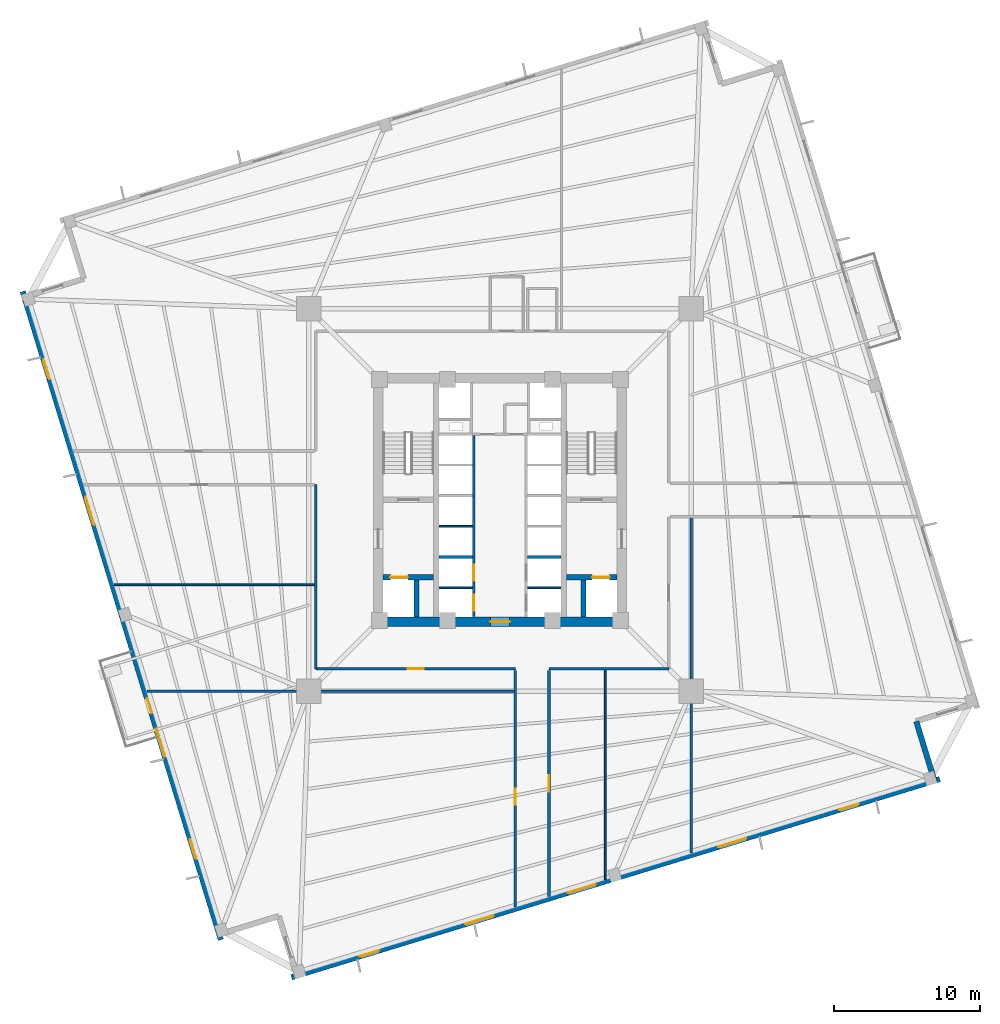
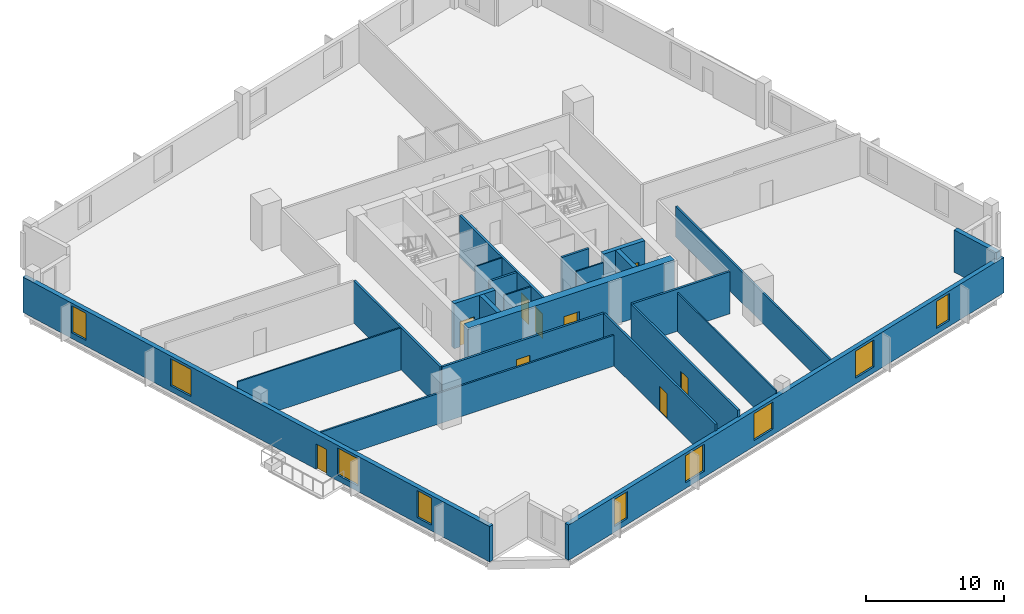
# One storey, part 3 of 9: 23 walls, 9 doors, 9 windows, 18 openings.
"""IFC4 building model written with IfcOpenShell, lengths in metres."""

import ifcopenshell
import ifcopenshell.guid

model = None  # the IFC model being written
_history = None  # IfcOwnerHistory: only IFC2X3 demands one
_inside = {}  # id of a spatial element -> (the spatial element, [elements in it])
_under = {}  # id of a project, library or spatial element -> (it, [spatial elements below it])
_declared = {}  # id of a project -> (the project, [libraries it declares])
_typed = {}  # id of a type object -> (the type object, [elements of that type])
_made_of = {}  # id of a material, layer set ... -> (it, [elements and type objects made of it])


def new_model(schema):
    """Start an empty IFC model of exactly this schema.

    Asked for "IFC4X3", IfcOpenShell would pick the latest addendum, in which some entities
    have other attributes; the version numbers below select the first issue.
    IFC2X3 requires an IfcOwnerHistory on every rooted entity: one is made here for all.
    """
    global model, _history
    if schema == "IFC4X3":
        model = ifcopenshell.file(schema_version=(4, 3, 0, 0))
    else:
        model = ifcopenshell.file(schema=schema)
    _inside.clear()
    _under.clear()
    _declared.clear()
    _typed.clear()
    _made_of.clear()
    _history = None
    if model.schema == "IFC2X3":
        org = make("IfcOrganization", Name="unknown")
        user = make(
            "IfcPersonAndOrganization",
            ThePerson=make("IfcPerson", FamilyName="unknown"),
            TheOrganization=org,
        )
        app = make(
            "IfcApplication",
            ApplicationDeveloper=org,
            Version="unknown",
            ApplicationFullName="unknown",
            ApplicationIdentifier="unknown",
        )
        _history = make(
            "IfcOwnerHistory",
            OwningUser=user,
            OwningApplication=app,
            ChangeAction="ADDED",
            CreationDate=0,
        )
    return model


def make(cls, **values):
    """One entity of the class cls with the attributes given. An attribute that is None is left unset."""
    return model.create_entity(
        cls, **{name: value for name, value in values.items() if value is not None}
    )


def rooted(cls, **values):
    """An entity with a GlobalId (a new one), such as an element, a storey or a relation."""
    return make(cls, GlobalId=ifcopenshell.guid.new(), OwnerHistory=_history, **values)


def si_unit(unit_type, name, prefix=None):
    """IfcSIUnit, for example si_unit("LENGTHUNIT", "METRE", prefix="MILLI")."""
    return make("IfcSIUnit", UnitType=unit_type, Prefix=prefix, Name=name)


def assignment(units):
    """IfcUnitAssignment: the units of a project."""
    return None if units is None else make("IfcUnitAssignment", Units=units)


def point(xyz):
    """IfcCartesianPoint."""
    return None if xyz is None else make("IfcCartesianPoint", Coordinates=xyz)


def direction(xyz):
    """IfcDirection."""
    return None if xyz is None else make("IfcDirection", DirectionRatios=xyz)


def frame(location, z_axis=None, x_axis=None):
    """IfcAxis2Placement3D, a coordinate frame: its origin and axes. An axis left out is left unset."""
    return make(
        "IfcAxis2Placement3D",
        Location=point(location),
        Axis=direction(z_axis),
        RefDirection=direction(x_axis),
    )


def frame_2d(location, x_axis=None):
    """IfcAxis2Placement2D, a coordinate frame in the plane: its origin and x axis."""
    return make(
        "IfcAxis2Placement2D", Location=point(location), RefDirection=direction(x_axis)
    )


def origin():
    """The frame at (0, 0, 0) with its axes left unset."""
    return frame((0.0, 0.0, 0.0))


def place(relative_to, where):
    """IfcLocalPlacement: puts the frame where relative to a parent placement (None: the world)."""
    return make(
        "IfcLocalPlacement", PlacementRelTo=relative_to, RelativePlacement=where
    )


def context(
    kind, dimensions, precision=None, world=None, true_north=None, identifier=None
):
    """IfcGeometricRepresentationContext, for example the 3D "Model" context."""
    return make(
        "IfcGeometricRepresentationContext",
        ContextIdentifier=identifier,
        ContextType=kind,
        CoordinateSpaceDimension=dimensions,
        Precision=precision,
        WorldCoordinateSystem=world,
        TrueNorth=true_north,
    )


def subcontext(parent, identifier, kind, view, scale=None):
    """IfcGeometricRepresentationSubContext, for example "Body" below "Model"."""
    return make(
        "IfcGeometricRepresentationSubContext",
        ContextIdentifier=identifier,
        ContextType=kind,
        ParentContext=parent,
        TargetScale=scale,
        TargetView=view,
    )


def project(units=None, contexts=None):
    """IfcProject with its units and contexts."""
    return rooted(
        "IfcProject",
        Name="project",
        RepresentationContexts=contexts,
        UnitsInContext=assignment(units),
    )


def spatial(cls, under=None, at=None, **own):
    """A site, building, storey or space (cls), placed at a placement, below another one or the project."""
    s = rooted(cls, ObjectPlacement=at, **own)
    if under is not None:
        _under.setdefault(under.id(), (under, []))[1].append(s)
    return s


def profile(cls, at=None, kind="AREA", **sizes):
    """A parametric profile (cls). Its sizes go by their IFC names, for example OverallWidth=200.0."""
    return make(cls, ProfileType=kind, Position=at, **sizes)


def rectangle(**sizes):
    """IfcRectangleProfileDef."""
    return profile("IfcRectangleProfileDef", **sizes)


def extrude(swept, where, along, depth):
    """IfcExtrudedAreaSolid: the profile swept, set in the frame where, extruded along a direction by depth."""
    return make(
        "IfcExtrudedAreaSolid",
        SweptArea=swept,
        Position=where,
        ExtrudedDirection=direction(along),
        Depth=depth,
    )


def shape(context_of_items, identifier, shape_type, items):
    """IfcShapeRepresentation: the items that make up one representation, for example the "Body"."""
    return make(
        "IfcShapeRepresentation",
        ContextOfItems=context_of_items,
        RepresentationIdentifier=identifier,
        RepresentationType=shape_type,
        Items=items,
    )


def source(mapping_origin, context_of_items, identifier, shape_type, items):
    """IfcRepresentationMap: a shape defined once, which mapped items show again and again."""
    return make(
        "IfcRepresentationMap",
        MappingOrigin=mapping_origin,
        MappedRepresentation=shape(context_of_items, identifier, shape_type, items),
    )


def transform(
    local_origin,
    x_axis=None,
    y_axis=None,
    z_axis=None,
    scale=None,
    scale2=None,
    scale3=None,
    uniform=True,
):
    """IfcCartesianTransformationOperator3D, or its non-uniform kind. x_axis, y_axis, z_axis: its Axis1, 2, 3."""
    if uniform:
        return make(
            "IfcCartesianTransformationOperator3D",
            Axis1=direction(x_axis),
            Axis2=direction(y_axis),
            LocalOrigin=point(local_origin),
            Scale=scale,
            Axis3=direction(z_axis),
        )
    return make(
        "IfcCartesianTransformationOperator3DnonUniform",
        Axis1=direction(x_axis),
        Axis2=direction(y_axis),
        LocalOrigin=point(local_origin),
        Scale=scale,
        Axis3=direction(z_axis),
        Scale2=scale2,
        Scale3=scale3,
    )


def mapped(mapping_source, mapping_target):
    """IfcMappedItem: shows the shape of a source again, moved by a transform."""
    return make(
        "IfcMappedItem", MappingSource=mapping_source, MappingTarget=mapping_target
    )


def material(Name=None, Category=None):
    """IfcMaterial."""
    return make("IfcMaterial", Name=Name, Category=Category)


def layer(
    of_material, thickness, ventilated=None, Name=None, Category=None, Priority=None
):
    """IfcMaterialLayer: one layer of a wall or slab, of a material (None: an air gap)."""
    return make(
        "IfcMaterialLayer",
        Material=of_material,
        LayerThickness=thickness,
        IsVentilated=ventilated,
        Name=Name,
        Category=Category,
        Priority=Priority,
    )


def layer_set(layers, Name=None):
    """IfcMaterialLayerSet."""
    return make("IfcMaterialLayerSet", MaterialLayers=layers, LayerSetName=Name)


def made_of(thing, what):
    """Note that an element or type object is made of a material, layer set ...; save() writes the relation."""
    if what is not None:
        _made_of.setdefault(what.id(), (what, []))[1].append(thing)
    return thing


def type_object(cls, material=None, **own):
    """A type object (cls), such as IfcWallType, which elements share."""
    return made_of(rooted(cls, **own), material)


def element(
    cls,
    number,
    at=None,
    inside=None,
    cuts=None,
    type_object=None,
    material=None,
    context=None,
    identifier="Body",
    shape_type=None,
    held_by="IfcProductDefinitionShape",
    body=None,
    shapes=None,
    **own,
):
    """One element of the class cls, such as IfcWall. Its Tag is "e" and its number.

    at: its placement. inside: the storey or other place that contains it. cuts: it is an
    opening in that element (IfcRelVoidsElement). A single representation is given by context,
    identifier, shape_type and body (its items); several are given by shapes. held_by: the class
    of the entity that holds the representations. save() writes the other relations.
    """
    e = rooted(cls, Tag="e%d" % number, ObjectPlacement=at, **own)
    if body is not None:
        shapes = [shape(context, identifier, shape_type, body)]
    if shapes is not None:
        e.Representation = make(held_by, Representations=shapes)
    if inside is not None:
        _inside.setdefault(inside.id(), (inside, []))[1].append(e)
    if cuts is not None:
        rooted(
            "IfcRelVoidsElement", RelatingBuildingElement=cuts, RelatedOpeningElement=e
        )
    if type_object is not None:
        _typed.setdefault(type_object.id(), (type_object, []))[1].append(e)
    return made_of(e, material)


def fill(opening, filler):
    """IfcRelFillsElement: the door or window that sits in an opening."""
    return rooted(
        "IfcRelFillsElement",
        RelatingOpeningElement=opening,
        RelatedBuildingElement=filler,
    )


def aggregate(whole, parts):
    """IfcRelAggregates: a whole, such as a stair, and the parts it consists of."""
    return rooted("IfcRelAggregates", RelatingObject=whole, RelatedObjects=parts)


def save(model, path):
    """Write the relations noted so far, then the file.

    IfcRelAggregates (storeys below a building ...), IfcRelContainedInSpatialStructure (elements
    in a storey), IfcRelDefinesByType, IfcRelAssociatesMaterial and IfcRelDeclares: one each for
    every whole, place, type object, material and project.
    """
    for whole, parts in _under.values():
        aggregate(whole, parts)
    for where, things in _inside.values():
        rooted(
            "IfcRelContainedInSpatialStructure",
            RelatedElements=things,
            RelatingStructure=where,
        )
    for kind, things in _typed.values():
        rooted("IfcRelDefinesByType", RelatedObjects=things, RelatingType=kind)
    for what, things in _made_of.values():
        rooted("IfcRelAssociatesMaterial", RelatedObjects=things, RelatingMaterial=what)
    for by, libraries in _declared.values():
        rooted("IfcRelDeclares", RelatingContext=by, RelatedDefinitions=libraries)
    model.write(path)


model = new_model("IFC4")

# Units and contexts
model_context = context("Model", 3, precision=1e-05, world=origin(), true_north=direction((0.0, 1.0)))
body_context = subcontext(model_context, "Body", "Model", "MODEL_VIEW")
ifc_project = project(units=[si_unit("LENGTHUNIT", "METRE"), si_unit("AREAUNIT", "SQUARE_METRE"), si_unit("VOLUMEUNIT", "CUBIC_METRE"), si_unit("PLANEANGLEUNIT", "RADIAN"), si_unit("MASSUNIT", "GRAM", prefix="KILO"), si_unit("THERMODYNAMICTEMPERATUREUNIT", "KELVIN")], contexts=[model_context])

# Site, building, storey
site_placement = place(None, origin())
site = spatial("IfcSite", under=ifc_project, at=site_placement, CompositionType="ELEMENT")
building_placement = place(site_placement, origin())
building = spatial("IfcBuilding", under=site, at=building_placement, Name="Kosmvard Interchange Tower", CompositionType="ELEMENT")
storey_placement = place(building_placement, frame((0.0, 0.0, 131.199951171875)))
storey = spatial("IfcBuildingStorey", under=building, at=storey_placement, Name="L31", CompositionType="ELEMENT", Elevation=131.199951171875)

# Walls
ifc_material_1 = material(Name="Acoustic gypsum partition system")
ifc_layer_1 = layer(ifc_material_1, 0.14990234375, Name="Acoustic gypsum partition system")
ifc_layer_set_1 = layer_set([ifc_layer_1], Name="Acoustic gypsum partition system")
wall_type_1 = type_object("IfcWallType", Name="Acoustic Suite & Meeting Partition 150", PredefinedType="PARTITIONING", material=ifc_layer_set_1)
wall_1_placement = place(storey_placement, frame((13.0810546875, -24.16650390625, 0.0), z_axis=(0.0, 0.0, 1.0), x_axis=(0.0, 1.0, 0.0)))
element("IfcWall", 1, at=wall_1_placement, inside=storey, type_object=wall_type_1, Name="L31 Room Partition 03.1", PredefinedType="PARTITIONING", context=body_context, shape_type="SweptSolid", body=[
    extrude(rectangle(XDim=22.92138671875, YDim=0.14990234375, at=frame_2d((11.460693359375, 0.0))), origin(), (0.0, 0.0, 1.0), 2.73193359375),
])
wall_2_placement = place(storey_placement, frame((-24.16650390625, -13.0810546875, 0.0), z_axis=(0.0, 0.0, 1.0), x_axis=(1.0, 0.0, 0.0)))
element("IfcWall", 2, at=wall_2_placement, inside=storey, type_object=wall_type_1, Name="L31 Room Partition 04.1", PredefinedType="PARTITIONING", context=body_context, shape_type="SweptSolid", body=[
    extrude(rectangle(XDim=25.12158203125, YDim=0.14990234375, at=frame_2d((12.560791015625, 0.0))), origin(), (0.0, 0.0, 1.0), 2.73193359375),
])

# Wall, openings, doors
ifc_material_2 = material(Name="Fire-rated gypsum partition system")
ifc_layer_2 = layer(ifc_material_2, 0.179931640625, Name="Fire-rated gypsum partition system")
ifc_layer_set_2 = layer_set([ifc_layer_2], Name="Fire-rated gypsum partition system")
wall_type_2 = type_object("IfcWallType", Name="Corridor & Hotel Compartment Partition 180", PredefinedType="PARTITIONING", material=ifc_layer_set_2)
wall_3_placement = place(storey_placement, frame((-1.7900390625, -7.97998046875, 0.0), z_axis=(0.0, 0.0, 1.0), x_axis=(0.0, 1.0, 0.0)))
wall_3 = element("IfcWall", 3, at=wall_3_placement, inside=storey, type_object=wall_type_2, Name="L31 West Lift Bank Front Wall", PredefinedType="PARTITIONING", context=body_context, shape_type="SweptSolid", body=[
    extrude(rectangle(XDim=12.3798828125, YDim=0.179931640625, at=frame_2d((6.18994140625, 0.0))), origin(), (0.0, 0.0, 1.0), 3.739990234375),
])
opening_1_placement = place(wall_3_placement, frame((0.39990234375, 0.0, 0.0)))
opening_1 = element("IfcOpeningElement", 4, at=opening_1_placement, cuts=wall_3, Name="Opening LD-PL-L1-L31", PredefinedType="OPENING", context=body_context, shape_type="SweptSolid", body=[
    extrude(rectangle(XDim=1.10009765625, YDim=2.199951171875, at=frame_2d((0.550048828125, 1.10009765625))), frame((0.0, 0.10009765625, 0.0), z_axis=(0.0, -1.0, 0.0), x_axis=(1.0, 0.0, 0.0)), (0.0, 0.0, 1.0), 0.199951171875),
])
opening_2_placement = place(wall_3_placement, frame((2.4599609375, 0.0, 0.0)))
opening_2 = element("IfcOpeningElement", 5, at=opening_2_placement, cuts=wall_3, Name="Opening LD-PL-L2-L31", PredefinedType="OPENING", context=body_context, shape_type="SweptSolid", body=[
    extrude(rectangle(XDim=1.10009765625, YDim=2.199951171875, at=frame_2d((0.550048828125, 1.10009765625))), frame((0.0, 0.10009765625, 0.0), z_axis=(0.0, -1.0, 0.0), x_axis=(1.0, 0.0, 0.0)), (0.0, 0.0, 1.0), 0.199951171875),
])
ifc_material_3 = material(Name="Brushed stainless steel sliding leaf", Category="steel")
door_type_1 = type_object("IfcDoorType", Name="Passenger Lift Sliding Landing Door 1100x2200 EI60", OperationType="DOUBLE_DOOR_SLIDING", PredefinedType="DOOR", material=ifc_material_3)
shared_shape_1 = source(origin(), body_context, "Body", "SweptSolid", [
    extrude(rectangle(XDim=1.10009765625, YDim=2.199951171875, at=frame_2d((0.550048828125, 1.10009765625))), frame((0.0, 0.02490234375, 0.0), z_axis=(0.0, -1.0, 0.0), x_axis=(1.0, 0.0, 0.0)), (0.0, 0.0, 1.0), 0.050048828125),
])
door_1_placement = place(opening_1_placement, frame((1.10009765625, 0.0, 0.0), z_axis=(0.0, 0.0, 1.0), x_axis=(-1.0, 0.0, 0.0)))
door_1 = element("IfcDoor", 6, at=door_1_placement, inside=storey, type_object=door_type_1, Name="Lift PL-L1 Landing Door L31", OperationType="DOUBLE_DOOR_SLIDING", OverallHeight=2.199951171875, OverallWidth=1.10009765625, PredefinedType="DOOR", context=body_context, shape_type="MappedRepresentation", body=[
    mapped(shared_shape_1, transform((0.0, 0.0, 0.0), scale=1.0)),
])
fill(opening_1, door_1)
door_2_placement = place(opening_2_placement, frame((1.10009765625, 0.0, 0.0), z_axis=(0.0, 0.0, 1.0), x_axis=(-1.0, 0.0, 0.0)))
door_2 = element("IfcDoor", 7, at=door_2_placement, inside=storey, type_object=door_type_1, Name="Lift PL-L2 Landing Door L31", OperationType="DOUBLE_DOOR_SLIDING", OverallHeight=2.199951171875, OverallWidth=1.10009765625, PredefinedType="DOOR", context=body_context, shape_type="MappedRepresentation", body=[
    mapped(shared_shape_1, transform((0.0, 0.0, 0.0), scale=1.0)),
])
fill(opening_2, door_2)

# Wall, opening, door
wall_4_placement = place(storey_placement, frame((-12.60009765625, -11.550048828125, 0.0), z_axis=(0.0, 0.0, 1.0), x_axis=(1.0, 0.0, 0.0)))
wall_4 = element("IfcWall", 8, at=wall_4_placement, inside=storey, type_object=wall_type_2, Name="L31 Corridor Wall CSW", PredefinedType="PARTITIONING", context=body_context, shape_type="SweptSolid", body=[
    extrude(rectangle(XDim=13.650146484375, YDim=0.179931640625, at=frame_2d((6.8251953125, 0.0))), origin(), (0.0, 0.0, 1.0), 3.739990234375),
])
opening_3_placement = place(wall_4_placement, frame((6.27490234375, 0.0, 0.0)))
opening_3 = element("IfcOpeningElement", 9, at=opening_3_placement, cuts=wall_4, Name="Opening L31-D09", PredefinedType="OPENING", context=body_context, shape_type="SweptSolid", body=[
    extrude(rectangle(XDim=1.10009765625, YDim=2.199951171875, at=frame_2d((0.550048828125, 1.10009765625))), frame((0.0, 0.10009765625, 0.0), z_axis=(0.0, -1.0, 0.0), x_axis=(1.0, 0.0, 0.0)), (0.0, 0.0, 1.0), 0.199951171875),
])
ifc_material_4 = material(Name="Engineered oak fire-rated timber", Category="wood")
door_type_2 = type_object("IfcDoorType", Name="Office Suite Entrance Door 1100x2200 FD30S", OperationType="NOTDEFINED", PredefinedType="DOOR", material=ifc_material_4)
door_3_placement = place(opening_3_placement, frame((1.10009765625, 0.0, 0.0), z_axis=(0.0, 0.0, 1.0), x_axis=(-1.0, 0.0, 0.0)))
door_3 = element("IfcDoor", 10, at=door_3_placement, inside=storey, type_object=door_type_2, Name="L31 Executive Reading Lounge Door", OperationType="SINGLE_SWING_LEFT", OverallHeight=2.199951171875, OverallWidth=1.10009765625, PredefinedType="DOOR", context=body_context, shape_type="MappedRepresentation", body=[
    mapped(shared_shape_1, transform((0.0, 0.0, 0.0), scale=1.0)),
])
fill(opening_3, door_3)

# Walls
wall_5_placement = place(storey_placement, frame((3.35009765625, -11.550048828125, 0.0), z_axis=(0.0, 0.0, 1.0), x_axis=(1.0, 0.0, 0.0)))
element("IfcWall", 11, at=wall_5_placement, inside=storey, type_object=wall_type_2, Name="L31 Corridor Wall CSE", PredefinedType="PARTITIONING", context=body_context, shape_type="SweptSolid", body=[
    extrude(rectangle(XDim=8.199951171875, YDim=0.179931640625, at=frame_2d((4.10009765625, 0.0))), origin(), (0.0, 0.0, 1.0), 3.739990234375),
])
wall_6_placement = place(storey_placement, frame((-12.60009765625, -11.550048828125, 0.0), z_axis=(0.0, 0.0, 1.0), x_axis=(0.0, 1.0, 0.0)))
element("IfcWall", 12, at=wall_6_placement, inside=storey, type_object=wall_type_2, Name="L31 Corridor Wall CWS", PredefinedType="PARTITIONING", context=body_context, shape_type="SweptSolid", body=[
    extrude(rectangle(XDim=12.60009765625, YDim=0.179931640625, at=frame_2d((6.300048828125, 0.0))), origin(), (0.0, 0.0, 1.0), 3.739990234375),
])

# Wall, opening, door
wall_7_placement = place(storey_placement, frame((1.050048828125, -27.8447265625, 0.0), z_axis=(0.0, 0.0, 1.0), x_axis=(0.0, 1.0, 0.0)))
wall_7 = element("IfcWall", 13, at=wall_7_placement, inside=storey, type_object=wall_type_2, Name="L31 Corridor Wall SSW", PredefinedType="PARTITIONING", context=body_context, shape_type="SweptSolid", body=[
    extrude(rectangle(XDim=16.19482421875, YDim=0.179931640625, at=frame_2d((8.097412109375, 0.0))), origin(), (0.0, 0.0, 1.0), 3.739990234375),
])
opening_4_placement = place(wall_7_placement, frame((6.996337890625, 0.0, 0.0)))
opening_4 = element("IfcOpeningElement", 14, at=opening_4_placement, cuts=wall_7, Name="Opening L31-D10", PredefinedType="OPENING", context=body_context, shape_type="SweptSolid", body=[
    extrude(rectangle(XDim=1.10009765625, YDim=2.199951171875, at=frame_2d((0.550048828125, 1.10009765625))), frame((0.0, 0.10009765625, 0.0), z_axis=(0.0, -1.0, 0.0), x_axis=(1.0, 0.0, 0.0)), (0.0, 0.0, 1.0), 0.199951171875),
])
door_4_placement = place(opening_4_placement, origin())
door_4 = element("IfcDoor", 15, at=door_4_placement, inside=storey, type_object=door_type_2, Name="L31 South-West Quiet Study Door", OperationType="SINGLE_SWING_RIGHT", OverallHeight=2.199951171875, OverallWidth=1.10009765625, PredefinedType="DOOR", context=body_context, shape_type="MappedRepresentation", body=[
    mapped(shared_shape_1, transform((0.0, 0.0, 0.0), scale=1.0)),
])
fill(opening_4, door_4)

wall_8_placement = place(storey_placement, frame((3.35009765625, -27.1416015625, 0.0), z_axis=(0.0, 0.0, 1.0), x_axis=(0.0, 1.0, 0.0)))
wall_8 = element("IfcWall", 16, at=wall_8_placement, inside=storey, type_object=wall_type_2, Name="L31 Corridor Wall SSE", PredefinedType="PARTITIONING", context=body_context, shape_type="SweptSolid", body=[
    extrude(rectangle(XDim=15.49169921875, YDim=0.179931640625, at=frame_2d((7.745849609375, 0.0))), origin(), (0.0, 0.0, 1.0), 3.739990234375),
])
opening_5_placement = place(wall_8_placement, frame((7.19580078125, 0.0, 0.0)))
opening_5 = element("IfcOpeningElement", 17, at=opening_5_placement, cuts=wall_8, Name="Opening L31-D05", PredefinedType="OPENING", context=body_context, shape_type="SweptSolid", body=[
    extrude(rectangle(XDim=1.10009765625, YDim=2.199951171875, at=frame_2d((0.550048828125, 1.10009765625))), frame((0.0, 0.10009765625, 0.0), z_axis=(0.0, -1.0, 0.0), x_axis=(1.0, 0.0, 0.0)), (0.0, 0.0, 1.0), 0.199951171875),
])
door_5_placement = place(opening_5_placement, frame((1.10009765625, 0.0, 0.0), z_axis=(0.0, 0.0, 1.0), x_axis=(-1.0, 0.0, 0.0)))
door_5 = element("IfcDoor", 18, at=door_5_placement, inside=storey, type_object=door_type_2, Name="L31 Business Travel Kiosk Door", OperationType="SINGLE_SWING_LEFT", OverallHeight=2.199951171875, OverallWidth=1.10009765625, PredefinedType="DOOR", context=body_context, shape_type="MappedRepresentation", body=[
    mapped(shared_shape_1, transform((0.0, 0.0, 0.0), scale=1.0)),
])
fill(opening_5, door_5)

# Wall, openings, windows
ifc_material_5 = material(Name="Precast concrete C45/55", Category="concrete")
ifc_layer_3 = layer(ifc_material_5, 0.3798828125, Name="Precast concrete C45/55")
ifc_layer_set_3 = layer_set([ifc_layer_3], Name="Precast concrete C45/55")
wall_type_3 = type_object("IfcWallType", Name="Lower Tower Precast Pier Wall 380 C45/55", PredefinedType="STANDARD", material=ifc_layer_set_3)
wall_9_placement = place(storey_placement, frame((-14.26513671875, -32.65771484375, 0.0), z_axis=(0.0, 0.0, 1.0), x_axis=(0.956304320851, 0.292373127906, 0.0)))
wall_9 = element("IfcWall", 19, at=wall_9_placement, inside=storey, type_object=wall_type_3, Name="L31 Precast Facade Wall F-S", PredefinedType="STANDARD", context=body_context, shape_type="SweptSolid", body=[
    extrude(rectangle(XDim=46.380126953125, YDim=0.3798828125, at=frame_2d((23.18994140625, 0.0))), origin(), (0.0, 0.0, 1.0), 3.14013671875),
])
opening_6_placement = place(wall_9_placement, frame((4.865478515625, 0.0, 0.510009765625)))
opening_6 = element("IfcOpeningElement", 20, at=opening_6_placement, cuts=wall_9, Name="Opening L31-W01", PredefinedType="OPENING", context=body_context, shape_type="SweptSolid", body=[
    extrude(rectangle(XDim=1.39990234375, YDim=2.39990234375, at=frame_2d((0.699951171875, 1.199951171875))), frame((0.0, 0.199951171875, 0.0), z_axis=(0.0, -1.0, 0.0), x_axis=(1.0, 0.0, 0.0)), (0.0, 0.0, 1.0), 0.39990234375),
])
opening_7_placement = place(wall_9_placement, frame((12.4501953125, 0.0, 0.510009765625)))
opening_7 = element("IfcOpeningElement", 21, at=opening_7_placement, cuts=wall_9, Name="Opening L31-W02", PredefinedType="OPENING", context=body_context, shape_type="SweptSolid", body=[
    extrude(rectangle(XDim=2.0, YDim=2.39990234375, at=frame_2d((1.0, 1.199951171875))), frame((0.0, 0.199951171875, 0.0), z_axis=(0.0, -1.0, 0.0), x_axis=(1.0, 0.0, 0.0)), (0.0, 0.0, 1.0), 0.39990234375),
])
opening_8_placement = place(wall_9_placement, frame((19.762451171875, 0.0, 0.510009765625)))
opening_8 = element("IfcOpeningElement", 22, at=opening_8_placement, cuts=wall_9, Name="Opening L31-W03", PredefinedType="OPENING", context=body_context, shape_type="SweptSolid", body=[
    extrude(rectangle(XDim=2.0, YDim=2.39990234375, at=frame_2d((1.0, 1.199951171875))), frame((0.0, 0.199951171875, 0.0), z_axis=(0.0, -1.0, 0.0), x_axis=(1.0, 0.0, 0.0)), (0.0, 0.0, 1.0), 0.39990234375),
])
opening_9_placement = place(wall_9_placement, frame((30.538330078125, 0.0, 0.510009765625)))
opening_9 = element("IfcOpeningElement", 23, at=opening_9_placement, cuts=wall_9, Name="Opening L31-W04", PredefinedType="OPENING", context=body_context, shape_type="SweptSolid", body=[
    extrude(rectangle(XDim=2.0, YDim=2.39990234375, at=frame_2d((1.0, 1.199951171875))), frame((0.0, 0.199951171875, 0.0), z_axis=(0.0, -1.0, 0.0), x_axis=(1.0, 0.0, 0.0)), (0.0, 0.0, 1.0), 0.39990234375),
])
opening_10_placement = place(wall_9_placement, frame((39.186767578125, 0.0, 0.510009765625)))
opening_10 = element("IfcOpeningElement", 24, at=opening_10_placement, cuts=wall_9, Name="Opening L31-W05", PredefinedType="OPENING", context=body_context, shape_type="SweptSolid", body=[
    extrude(rectangle(XDim=1.39990234375, YDim=2.39990234375, at=frame_2d((0.699951171875, 1.199951171875))), frame((0.0, 0.199951171875, 0.0), z_axis=(0.0, -1.0, 0.0), x_axis=(1.0, 0.0, 0.0)), (0.0, 0.0, 1.0), 0.39990234375),
])
ifc_material_6 = material(Name="Low-E solar-control double glazing", Category="glass")
window_type_1 = type_object("IfcWindowType", Name="Notched Corner Feature Window 1400x2400", PartitioningType="SINGLE_PANEL", PredefinedType="WINDOW", material=ifc_material_6)
shared_shape_2 = source(origin(), body_context, "Body", "SweptSolid", [
    extrude(rectangle(XDim=1.39990234375, YDim=2.39990234375, at=frame_2d((0.699951171875, 1.199951171875))), frame((0.0, 0.030029296875, 0.0), z_axis=(0.0, -1.0, 0.0), x_axis=(1.0, 0.0, 0.0)), (0.0, 0.0, 1.0), 0.06005859375),
])
window_1_placement = place(opening_6_placement, origin())
window_1 = element("IfcWindow", 25, at=window_1_placement, inside=storey, type_object=window_type_1, Name="L31 Facade Punched Window 01", OverallHeight=2.39990234375, OverallWidth=1.39990234375, PartitioningType="SINGLE_PANEL", PredefinedType="WINDOW", context=body_context, shape_type="MappedRepresentation", body=[
    mapped(shared_shape_2, transform((0.0, 0.0, 0.0), scale=1.0)),
])
fill(opening_6, window_1)
window_2_placement = place(opening_10_placement, origin())
window_2 = element("IfcWindow", 26, at=window_2_placement, inside=storey, type_object=window_type_1, Name="L31 Facade Punched Window 05", OverallHeight=2.39990234375, OverallWidth=1.39990234375, PartitioningType="SINGLE_PANEL", PredefinedType="WINDOW", context=body_context, shape_type="MappedRepresentation", body=[
    mapped(shared_shape_2, transform((0.0, 0.0, 0.0), scale=1.0)),
])
fill(opening_10, window_2)
window_type_2 = type_object("IfcWindowType", Name="Zone 2 Office Punched Window 2000x2400", PartitioningType="SINGLE_PANEL", PredefinedType="WINDOW", material=ifc_material_6)
shared_shape_3 = source(origin(), body_context, "Body", "SweptSolid", [
    extrude(rectangle(XDim=2.0, YDim=2.39990234375, at=frame_2d((1.0, 1.199951171875))), frame((0.0, 0.030029296875, 0.0), z_axis=(0.0, -1.0, 0.0), x_axis=(1.0, 0.0, 0.0)), (0.0, 0.0, 1.0), 0.06005859375),
])
window_3_placement = place(opening_7_placement, origin())
window_3 = element("IfcWindow", 27, at=window_3_placement, inside=storey, type_object=window_type_2, Name="L31 Facade Punched Window 02", OverallHeight=2.39990234375, OverallWidth=2.0, PartitioningType="SINGLE_PANEL", PredefinedType="WINDOW", context=body_context, shape_type="MappedRepresentation", body=[
    mapped(shared_shape_3, transform((0.0, 0.0, 0.0), scale=1.0)),
])
fill(opening_7, window_3)
window_4_placement = place(opening_8_placement, origin())
window_4 = element("IfcWindow", 28, at=window_4_placement, inside=storey, type_object=window_type_2, Name="L31 Facade Punched Window 03", OverallHeight=2.39990234375, OverallWidth=2.0, PartitioningType="SINGLE_PANEL", PredefinedType="WINDOW", context=body_context, shape_type="MappedRepresentation", body=[
    mapped(shared_shape_3, transform((0.0, 0.0, 0.0), scale=1.0)),
])
fill(opening_8, window_4)
window_5_placement = place(opening_9_placement, origin())
window_5 = element("IfcWindow", 29, at=window_5_placement, inside=storey, type_object=window_type_2, Name="L31 Facade Punched Window 04", OverallHeight=2.39990234375, OverallWidth=2.0, PartitioningType="SINGLE_PANEL", PredefinedType="WINDOW", context=body_context, shape_type="MappedRepresentation", body=[
    mapped(shared_shape_3, transform((0.0, 0.0, 0.0), scale=1.0)),
])
fill(opening_9, window_5)

# Wall
wall_10_placement = place(storey_placement, frame((29.724853515625, -19.20849609375, 0.0), z_axis=(0.0, 0.0, 1.0), x_axis=(-0.292345507338, 0.956312764915, 0.0)))
element("IfcWall", 30, at=wall_10_placement, inside=storey, type_object=wall_type_3, Name="L31 Precast Facade Wall N-SE1", PredefinedType="STANDARD", context=body_context, shape_type="SweptSolid", body=[
    extrude(rectangle(XDim=4.249755859375, YDim=0.3798828125, at=frame_2d((2.125, 0.0))), origin(), (0.0, 0.0, 1.0), 3.739990234375),
])

# Wall, openings, door, windows
wall_11_placement = place(storey_placement, frame((-32.65771484375, 14.26513671875, 0.0), z_axis=(0.0, 0.0, 1.0), x_axis=(0.292373127906, -0.956304320851, 0.0)))
wall_11 = element("IfcWall", 31, at=wall_11_placement, inside=storey, type_object=wall_type_3, Name="L31 Precast Facade Wall F-W", PredefinedType="STANDARD", context=body_context, shape_type="SweptSolid", body=[
    extrude(rectangle(XDim=46.380126953125, YDim=0.3798828125, at=frame_2d((23.18994140625, 0.0))), origin(), (0.0, 0.0, 1.0), 3.14013671875),
])
opening_11_placement = place(wall_11_placement, frame((29.114990234375, 0.0, 0.0)))
opening_11 = element("IfcOpeningElement", 32, at=opening_11_placement, cuts=wall_11, Name="Opening L31-BDW", PredefinedType="OPENING", context=body_context, shape_type="SweptSolid", body=[
    extrude(rectangle(XDim=1.050048828125, YDim=2.25, at=frame_2d((0.52490234375, 1.125))), frame((0.0, 0.199951171875, 0.0), z_axis=(0.0, -1.0, 0.0), x_axis=(1.0, 0.0, 0.0)), (0.0, 0.0, 1.0), 0.39990234375),
])
opening_12_placement = place(wall_11_placement, frame((4.865478515625, 0.0, 0.510009765625)))
opening_12 = element("IfcOpeningElement", 33, at=opening_12_placement, cuts=wall_11, Name="Opening L31-W16", PredefinedType="OPENING", context=body_context, shape_type="SweptSolid", body=[
    extrude(rectangle(XDim=1.39990234375, YDim=2.39990234375, at=frame_2d((0.699951171875, 1.199951171875))), frame((0.0, 0.199951171875, 0.0), z_axis=(0.0, -1.0, 0.0), x_axis=(1.0, 0.0, 0.0)), (0.0, 0.0, 1.0), 0.39990234375),
])
opening_13_placement = place(wall_11_placement, frame((14.7001953125, 0.0, 0.510009765625)))
opening_13 = element("IfcOpeningElement", 34, at=opening_13_placement, cuts=wall_11, Name="Opening L31-W17", PredefinedType="OPENING", context=body_context, shape_type="SweptSolid", body=[
    extrude(rectangle(XDim=2.0, YDim=2.39990234375, at=frame_2d((1.0, 1.199951171875))), frame((0.0, 0.199951171875, 0.0), z_axis=(0.0, -1.0, 0.0), x_axis=(1.0, 0.0, 0.0)), (0.0, 0.0, 1.0), 0.39990234375),
])
opening_14_placement = place(wall_11_placement, frame((31.288330078125, 0.0, 0.510009765625)))
opening_14 = element("IfcOpeningElement", 35, at=opening_14_placement, cuts=wall_11, Name="Opening L31-W18", PredefinedType="OPENING", context=body_context, shape_type="SweptSolid", body=[
    extrude(rectangle(XDim=2.0, YDim=2.39990234375, at=frame_2d((1.0, 1.199951171875))), frame((0.0, 0.199951171875, 0.0), z_axis=(0.0, -1.0, 0.0), x_axis=(1.0, 0.0, 0.0)), (0.0, 0.0, 1.0), 0.39990234375),
])
opening_15_placement = place(wall_11_placement, frame((39.186767578125, 0.0, 0.510009765625)))
opening_15 = element("IfcOpeningElement", 36, at=opening_15_placement, cuts=wall_11, Name="Opening L31-W19", PredefinedType="OPENING", context=body_context, shape_type="SweptSolid", body=[
    extrude(rectangle(XDim=1.39990234375, YDim=2.39990234375, at=frame_2d((0.699951171875, 1.199951171875))), frame((0.0, 0.199951171875, 0.0), z_axis=(0.0, -1.0, 0.0), x_axis=(1.0, 0.0, 0.0)), (0.0, 0.0, 1.0), 0.39990234375),
])
ifc_material_7 = material(Name="Anodised aluminium and safety glass", Category="aluminium")
door_type_3 = type_object("IfcDoorType", Name="Tree-Balcony Glazed Door 1050x2250", OperationType="NOTDEFINED", PredefinedType="DOOR", material=ifc_material_7)
shared_shape_4 = source(origin(), body_context, "Body", "SweptSolid", [
    extrude(rectangle(XDim=1.050048828125, YDim=2.25, at=frame_2d((0.52490234375, 1.125))), frame((0.0, 0.02490234375, 0.0), z_axis=(0.0, -1.0, 0.0), x_axis=(1.0, 0.0, 0.0)), (0.0, 0.0, 1.0), 0.050048828125),
])
door_6_placement = place(opening_11_placement, origin())
door_6 = element("IfcDoor", 37, at=door_6_placement, inside=storey, type_object=door_type_3, Name="L31 Tree-Balcony Door BAL-L31-W", OperationType="SINGLE_SWING_RIGHT", OverallHeight=2.25, OverallWidth=1.050048828125, PredefinedType="DOOR", context=body_context, shape_type="MappedRepresentation", body=[
    mapped(shared_shape_4, transform((0.0, 0.0, 0.0), scale=1.0)),
])
fill(opening_11, door_6)
window_6_placement = place(opening_12_placement, origin())
window_6 = element("IfcWindow", 38, at=window_6_placement, inside=storey, type_object=window_type_1, Name="L31 Facade Punched Window 16", OverallHeight=2.39990234375, OverallWidth=1.39990234375, PartitioningType="SINGLE_PANEL", PredefinedType="WINDOW", context=body_context, shape_type="MappedRepresentation", body=[
    mapped(shared_shape_2, transform((0.0, 0.0, 0.0), scale=1.0)),
])
fill(opening_12, window_6)
window_7_placement = place(opening_15_placement, origin())
window_7 = element("IfcWindow", 39, at=window_7_placement, inside=storey, type_object=window_type_1, Name="L31 Facade Punched Window 19", OverallHeight=2.39990234375, OverallWidth=1.39990234375, PartitioningType="SINGLE_PANEL", PredefinedType="WINDOW", context=body_context, shape_type="MappedRepresentation", body=[
    mapped(shared_shape_2, transform((0.0, 0.0, 0.0), scale=1.0)),
])
fill(opening_15, window_7)
window_8_placement = place(opening_13_placement, origin())
window_8 = element("IfcWindow", 40, at=window_8_placement, inside=storey, type_object=window_type_2, Name="L31 Facade Punched Window 17", OverallHeight=2.39990234375, OverallWidth=2.0, PartitioningType="SINGLE_PANEL", PredefinedType="WINDOW", context=body_context, shape_type="MappedRepresentation", body=[
    mapped(shared_shape_3, transform((0.0, 0.0, 0.0), scale=1.0)),
])
fill(opening_13, window_8)
window_9_placement = place(opening_14_placement, origin())
window_9 = element("IfcWindow", 41, at=window_9_placement, inside=storey, type_object=window_type_2, Name="L31 Facade Punched Window 18", OverallHeight=2.39990234375, OverallWidth=2.0, PartitioningType="SINGLE_PANEL", PredefinedType="WINDOW", context=body_context, shape_type="MappedRepresentation", body=[
    mapped(shared_shape_3, transform((0.0, 0.0, 0.0), scale=1.0)),
])
fill(opening_14, window_9)

# Wall, opening, door
ifc_material_8 = material(Name="Concrete C70/85", Category="concrete")
ifc_layer_4 = layer(ifc_material_8, 0.64990234375, Name="Concrete C70/85")
ifc_layer_set_4 = layer_set([ifc_layer_4], Name="Concrete C70/85")
wall_type_4 = type_object("IfcWallType", Name="Mid Core Shear Wall 650 C70/85", PredefinedType="SHEAR", material=ifc_layer_set_4)
wall_12_placement = place(storey_placement, frame((-8.64990234375, -8.324951171875, 0.0), z_axis=(0.0, 0.0, 1.0), x_axis=(1.0, 0.0, 0.0)))
wall_12 = element("IfcWall", 42, at=wall_12_placement, inside=storey, type_object=wall_type_4, Name="L31 Core Shear Wall CW-S", PredefinedType="SHEAR", context=body_context, shape_type="SweptSolid", body=[
    extrude(rectangle(XDim=17.2998046875, YDim=0.64990234375, at=frame_2d((8.64990234375, 0.0))), origin(), (0.0, 0.0, 1.0), 4.0),
])
opening_16_placement = place(wall_12_placement, frame((8.0, 0.0, 0.0)))
opening_16 = element("IfcOpeningElement", 43, at=opening_16_placement, cuts=wall_12, Name="Opening L31-LD0", PredefinedType="OPENING", context=body_context, shape_type="SweptSolid", body=[
    extrude(rectangle(XDim=1.300048828125, YDim=2.199951171875, at=frame_2d((0.64990234375, 1.10009765625))), frame((0.0, 0.3349609375, 0.0), z_axis=(0.0, -1.0, 0.0), x_axis=(1.0, 0.0, 0.0)), (0.0, 0.0, 1.0), 0.669921875),
])
ifc_material_9 = material(Name="Painted fire-rated steel leaf", Category="steel")
door_type_4 = type_object("IfcDoorType", Name="Firefighting Lobby Door 1300x2200 EI60", OperationType="NOTDEFINED", PredefinedType="DOOR", material=ifc_material_9)
shared_shape_5 = source(origin(), body_context, "Body", "SweptSolid", [
    extrude(rectangle(XDim=1.300048828125, YDim=2.199951171875, at=frame_2d((0.64990234375, 1.10009765625))), frame((0.0, 0.02490234375, 0.0), z_axis=(0.0, -1.0, 0.0), x_axis=(1.0, 0.0, 0.0)), (0.0, 0.0, 1.0), 0.050048828125),
])
door_7_placement = place(opening_16_placement, frame((1.300048828125, 0.0, 0.0), z_axis=(0.0, 0.0, 1.0), x_axis=(-1.0, 0.0, 0.0)))
door_7 = element("IfcDoor", 44, at=door_7_placement, inside=storey, type_object=door_type_4, Name="L31 Passenger Lift Lobby South Door", OperationType="SINGLE_SWING_RIGHT", OverallHeight=2.199951171875, OverallWidth=1.300048828125, PredefinedType="DOOR", context=body_context, shape_type="MappedRepresentation", body=[
    mapped(shared_shape_5, transform((0.0, 0.0, 0.0), scale=1.0)),
])
fill(opening_16, door_7)

# Walls
ifc_material_10 = material(Name="Gypsum board partition system")
ifc_layer_5 = layer(ifc_material_10, 0.1201171875, Name="Gypsum board partition system")
ifc_layer_set_5 = layer_set([ifc_layer_5], Name="Gypsum board partition system")
wall_type_5 = type_object("IfcWallType", Name="Office Cellular Partition 120", PredefinedType="PARTITIONING", material=ifc_layer_set_5)
wall_13_placement = place(storey_placement, frame((7.199951171875, -25.96435546875, 0.0), z_axis=(0.0, 0.0, 1.0), x_axis=(0.0, 1.0, 0.0)))
element("IfcWall", 45, at=wall_13_placement, inside=storey, type_object=wall_type_5, Name="L31 Room Partition 02.1", PredefinedType="PARTITIONING", context=body_context, shape_type="SweptSolid", body=[
    extrude(rectangle(XDim=14.3193359375, YDim=0.1201171875, at=frame_2d((7.15966796875, 0.0))), origin(), (0.0, 0.0, 1.0), 3.41015625),
])
wall_14_placement = place(storey_placement, frame((-26.392578125, -5.800048828125, 0.0), z_axis=(0.0, 0.0, 1.0), x_axis=(1.0, 0.0, 0.0)))
element("IfcWall", 46, at=wall_14_placement, inside=storey, type_object=wall_type_5, Name="L31 Room Partition 05.1", PredefinedType="PARTITIONING", context=body_context, shape_type="SweptSolid", body=[
    extrude(rectangle(XDim=13.697509765625, YDim=0.1201171875, at=frame_2d((6.8486328125, 0.0))), origin(), (0.0, 0.0, 1.0), 3.739990234375),
])
ifc_material_11 = material(Name="Concrete blockwork masonry", Category="masonry")
ifc_layer_6 = layer(ifc_material_11, 0.179931640625, Name="Concrete blockwork masonry")
ifc_layer_set_6 = layer_set([ifc_layer_6], Name="Concrete blockwork masonry")
wall_type_6 = type_object("IfcWallType", Name="Riser & Lift Bank Divider Wall 180", PredefinedType="PARTITIONING", material=ifc_layer_set_6)
for number, where, z_axis, x_axis, name in (
    (47, (-4.169921875, -3.89990234375, 0.0), (0.0, 0.0, 1.0), (1.0, 0.0, 0.0), "L31 West Bank Divider BD1"),
    (48, (1.889892578125, -3.89990234375, 0.0), (0.0, 0.0, 1.0), (1.0, 0.0, 0.0), "L31 East Bank Divider BD1"),
):
    element("IfcWall", number, at=place(storey_placement, frame(where, z_axis=z_axis, x_axis=x_axis)), inside=storey, type_object=wall_type_6, Name=name, PredefinedType="PARTITIONING", context=body_context, shape_type="SweptSolid", body=[
        extrude(rectangle(XDim=2.280029296875, YDim=0.179931640625, at=frame_2d((1.14013671875, 0.0))), origin(), (0.0, 0.0, 1.0), 3.739990234375),
    ])
ifc_material_12 = material(Name="Fire-rated gypsum shaftwall system")
ifc_layer_7 = layer(ifc_material_12, 0.1201171875, Name="Fire-rated gypsum shaftwall system")
ifc_layer_set_7 = layer_set([ifc_layer_7], Name="Fire-rated gypsum shaftwall system")
wall_type_7 = type_object("IfcWallType", Name="Shaft & Riser Fire Partition 120 EI60", PredefinedType="PARTITIONING", material=ifc_layer_set_7)
for number, where, z_axis, x_axis, name in (
    (49, (-4.159912109375, -6.0, 0.0), (0.0, 0.0, 1.0), (1.0, 0.0, 0.0), "L31 Shaft Divider PL-L1"),
    (50, (1.89990234375, -6.0, 0.0), (0.0, 0.0, 1.0), (1.0, 0.0, 0.0), "L31 Shaft Divider PL-L3"),
    (51, (-4.159912109375, -1.800048828125, 0.0), (0.0, 0.0, 1.0), (1.0, 0.0, 0.0), "L31 Shaft Divider PL-M1"),
):
    element("IfcWall", number, at=place(storey_placement, frame(where, z_axis=z_axis, x_axis=x_axis)), inside=storey, type_object=wall_type_7, Name=name, PredefinedType="PARTITIONING", context=body_context, shape_type="SweptSolid", body=[
        extrude(rectangle(XDim=2.260009765625, YDim=0.1201171875, at=frame_2d((1.1298828125, 0.0))), origin(), (0.0, 0.0, 1.0), 3.739990234375),
    ])

# Wall, opening, door
ifc_material_13 = material(Name="Concrete C60/75", Category="concrete")
ifc_layer_8 = layer(ifc_material_13, 0.360107421875, Name="Concrete C60/75")
ifc_layer_set_8 = layer_set([ifc_layer_8], Name="Concrete C60/75")
wall_type_8 = type_object("IfcWallType", Name="Stair & Lift Shaft Shear Wall 360 C60/75", PredefinedType="SHEAR", material=ifc_layer_set_8)
wall_15_placement = place(storey_placement, frame((-8.0, -5.280029296875, 0.0), z_axis=(0.0, 0.0, 1.0), x_axis=(1.0, 0.0, 0.0)))
wall_15 = element("IfcWall", 52, at=wall_15_placement, inside=storey, type_object=wall_type_8, Name="L31 Shaft Shear Wall SW-FF1", PredefinedType="SHEAR", context=body_context, shape_type="SweptSolid", body=[
    extrude(rectangle(XDim=3.4599609375, YDim=0.360107421875, at=frame_2d((1.72998046875, 0.0))), origin(), (0.0, 0.0, 1.0), 4.0),
])
opening_17_placement = place(wall_15_placement, frame((0.5, 0.0, 0.0)))
opening_17 = element("IfcOpeningElement", 53, at=opening_17_placement, cuts=wall_15, Name="Opening LD-FF-1-L31", PredefinedType="OPENING", context=body_context, shape_type="SweptSolid", body=[
    extrude(rectangle(XDim=1.199951171875, YDim=2.25, at=frame_2d((0.60009765625, 1.125))), frame((0.0, 0.18994140625, 0.0), z_axis=(0.0, -1.0, 0.0), x_axis=(1.0, 0.0, 0.0)), (0.0, 0.0, 1.0), 0.380126953125),
])
door_type_5 = type_object("IfcDoorType", Name="Firefighting Lift Sliding Landing Door 1200x2250 EI120", OperationType="DOUBLE_DOOR_SLIDING", PredefinedType="DOOR", material=ifc_material_3)
shared_shape_6 = source(origin(), body_context, "Body", "SweptSolid", [
    extrude(rectangle(XDim=1.199951171875, YDim=2.25, at=frame_2d((0.60009765625, 1.125))), frame((0.0, 0.02490234375, 0.0), z_axis=(0.0, -1.0, 0.0), x_axis=(1.0, 0.0, 0.0)), (0.0, 0.0, 1.0), 0.050048828125),
])
door_8_placement = place(opening_17_placement, origin())
door_8 = element("IfcDoor", 54, at=door_8_placement, inside=storey, type_object=door_type_5, Name="Lift FF-1 Landing Door L31", OperationType="DOUBLE_DOOR_SLIDING", OverallHeight=2.25, OverallWidth=1.199951171875, PredefinedType="DOOR", context=body_context, shape_type="MappedRepresentation", body=[
    mapped(shared_shape_6, transform((0.0, 0.0, 0.0), scale=1.0)),
])
fill(opening_17, door_8)

wall_16_placement = place(storey_placement, frame((4.5400390625, -5.280029296875, 0.0), z_axis=(0.0, 0.0, 1.0), x_axis=(1.0, 0.0, 0.0)))
wall_16 = element("IfcWall", 55, at=wall_16_placement, inside=storey, type_object=wall_type_8, Name="L31 Shaft Shear Wall SW-FF2", PredefinedType="SHEAR", context=body_context, shape_type="SweptSolid", body=[
    extrude(rectangle(XDim=3.4599609375, YDim=0.360107421875, at=frame_2d((1.72998046875, 0.0))), origin(), (0.0, 0.0, 1.0), 4.0),
])
opening_18_placement = place(wall_16_placement, frame((1.760009765625, 0.0, 0.0)))
opening_18 = element("IfcOpeningElement", 56, at=opening_18_placement, cuts=wall_16, Name="Opening LD-FF-2-L31", PredefinedType="OPENING", context=body_context, shape_type="SweptSolid", body=[
    extrude(rectangle(XDim=1.199951171875, YDim=2.25, at=frame_2d((0.60009765625, 1.125))), frame((0.0, 0.18994140625, 0.0), z_axis=(0.0, -1.0, 0.0), x_axis=(1.0, 0.0, 0.0)), (0.0, 0.0, 1.0), 0.380126953125),
])
door_9_placement = place(opening_18_placement, origin())
door_9 = element("IfcDoor", 57, at=door_9_placement, inside=storey, type_object=door_type_5, Name="Lift FF-2 Landing Door L31", OperationType="DOUBLE_DOOR_SLIDING", OverallHeight=2.25, OverallWidth=1.199951171875, PredefinedType="DOOR", context=body_context, shape_type="MappedRepresentation", body=[
    mapped(shared_shape_6, transform((0.0, 0.0, 0.0), scale=1.0)),
])
fill(opening_18, door_9)

# Walls
for number, where, z_axis, x_axis, name in (
    (58, (-5.7099609375, -8.0, 0.0), (0.0, 0.0, 1.0), (0.0, 1.0, 0.0), "L31 Shaft Shear Wall SW-SM1"),
    (59, (5.7099609375, -8.0, 0.0), (0.0, 0.0, 1.0), (0.0, 1.0, 0.0), "L31 Shaft Shear Wall SW-SM2"),
):
    element("IfcWall", number, at=place(storey_placement, frame(where, z_axis=z_axis, x_axis=x_axis)), inside=storey, type_object=wall_type_8, Name=name, PredefinedType="SHEAR", context=body_context, shape_type="SweptSolid", body=[
        extrude(rectangle(XDim=2.5400390625, YDim=0.360107421875, at=frame_2d((1.27001953125, 0.0))), origin(), (0.0, 0.0, 1.0), 4.0),
    ])

save(model, "model.ifc")
